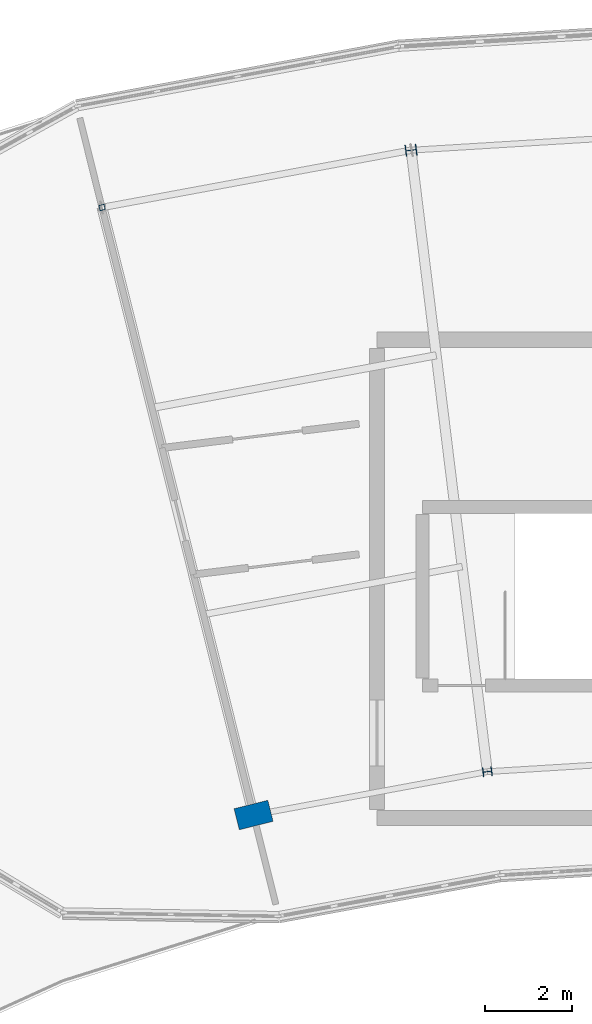
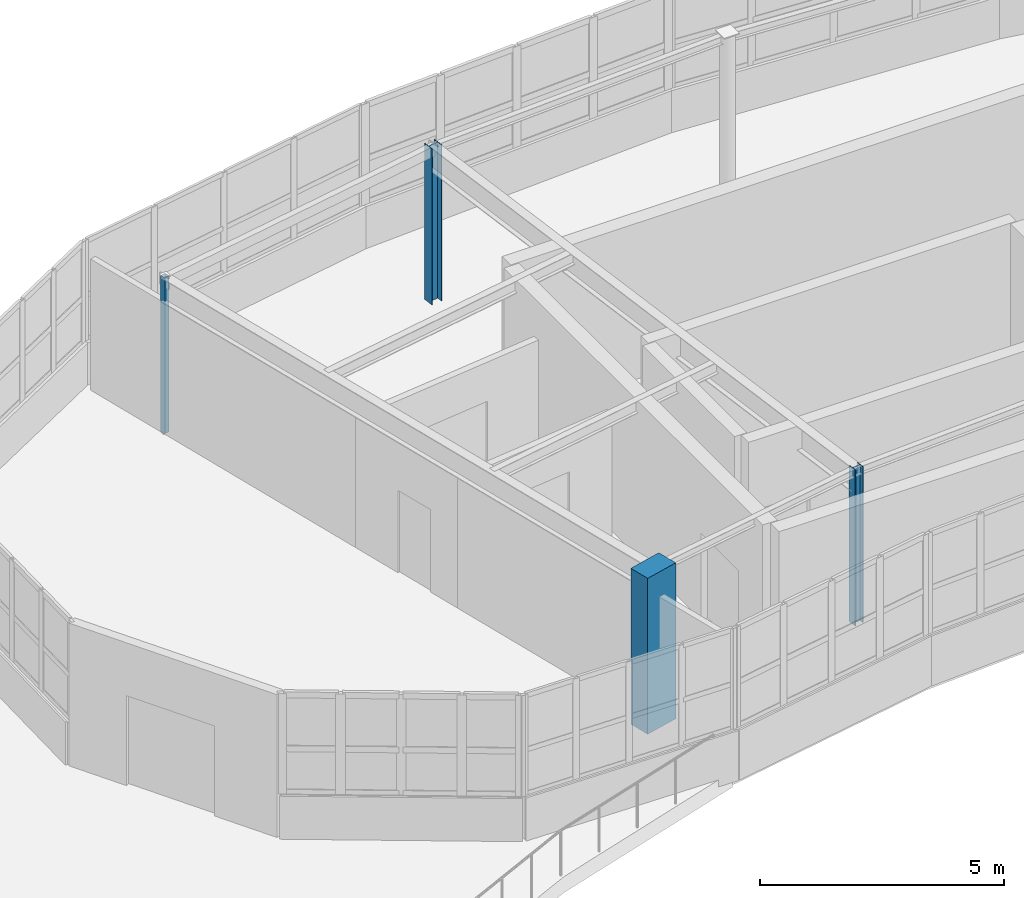
# One storey, part 1 of 26: 4 columns.
"""IFC4 building model written with IfcOpenShell, lengths in metres."""

from ifc_helpers import new_model, si_unit, direction, frame, origin, origin_2d, place, context, subcontext, project, spatial, rectangle, hollow_rectangle, i_section, extrude, material, material_profile, profile_set, type_object, element, save


model = new_model("IFC4")

# Units and contexts
model_context = context("Model", 3, precision=1e-05, world=origin(), true_north=direction((0.0, 1.0)))
body_context = subcontext(model_context, "Body", "Model", "MODEL_VIEW")
ifc_project = project(units=[si_unit("LENGTHUNIT", "METRE"), si_unit("AREAUNIT", "SQUARE_METRE"), si_unit("VOLUMEUNIT", "CUBIC_METRE"), si_unit("PLANEANGLEUNIT", "RADIAN"), si_unit("MASSUNIT", "GRAM", prefix="KILO")], contexts=[model_context])

# Site, building, storey
site_placement = place(None, origin())
site = spatial("IfcSite", under=ifc_project, at=site_placement, CompositionType="ELEMENT")
building_placement = place(site_placement, origin())
building = spatial("IfcBuilding", under=site, at=building_placement, Name="Tarnwether General Hospital", CompositionType="ELEMENT")
storey_placement = place(building_placement, frame((0.0, 0.0, 30.0)))
storey = spatial("IfcBuildingStorey", under=building, at=storey_placement, Name="L07", CompositionType="ELEMENT", Elevation=30.0)

# Columns
ifc_material_1 = material(Name="Concrete 50 MPa", Category="concrete")
ifc_material_profile_1 = material_profile(ifc_material_1, rectangle(XDim=0.5, YDim=0.800048828125, at=origin_2d()), Name="RC-PIL-500x800")
ifc_profile_set_1 = profile_set([ifc_material_profile_1], Name="Concrete 50 MPa")
column_type_1 = type_object("IfcColumnType", Name="COL-23", PredefinedType="PILASTER", material=ifc_profile_set_1)
column_1_placement = place(storey_placement, frame((81.162109375, 106.468994140625, 0.0), z_axis=(0.0, 0.0, 1.0), x_axis=(-0.2419218956, 0.970295726276, 0.0)))
element("IfcColumn", 1, at=column_1_placement, inside=storey, type_object=column_type_1, Name="Column COLG-L07-8116_10647", PredefinedType="PILASTER", context=body_context, shape_type="SweptSolid", body=[
    extrude(rectangle(XDim=0.5, YDim=0.800048828125, at=origin_2d()), origin(), (0.0, 0.0, 1.0), 3.89990234375),
])
ifc_material_2 = material(Name="Steel Grade 350 (350 MPa)", Category="steel")
ifc_material_profile_2 = material_profile(ifc_material_2, i_section(OverallWidth=0.25390625, OverallDepth=0.25390625, WebThickness=0.008544921875, FlangeThickness=0.01416015625, at=origin_2d()), Name="250UC72.9")
ifc_profile_set_2 = profile_set([ifc_material_profile_2], Name="Steel Grade 350 (350 MPa)")
column_type_2 = type_object("IfcColumnType", Name="COL-24", PredefinedType="COLUMN", material=ifc_profile_set_2)
column_2_placement = place(storey_placement, frame((84.784912109375, 121.759033203125, 0.0), z_axis=(0.0, 0.0, 1.0), x_axis=(-0.121869343405, 0.992546151641, 0.0)))
element("IfcColumn", 2, at=column_2_placement, inside=storey, type_object=column_type_2, Name="Column COLG-L07-8478_12176", PredefinedType="COLUMN", context=body_context, shape_type="SweptSolid", body=[
    extrude(i_section(OverallWidth=0.25390625, OverallDepth=0.25390625, WebThickness=0.008544921875, FlangeThickness=0.01416015625, at=origin_2d()), origin(), (0.0, 0.0, 1.0), 3.89990234375),
])
ifc_material_3 = material(Name="Steel Grade 350 (350 MPa)", Category="steel")
ifc_material_profile_3 = material_profile(ifc_material_3, i_section(OverallWidth=0.205078125, OverallDepth=0.2099609375, WebThickness=0.00927734375, FlangeThickness=0.01416015625, at=origin_2d()), Name="200UC59.5")
ifc_profile_set_3 = profile_set([ifc_material_profile_3], Name="Steel Grade 350 (350 MPa)")
column_type_3 = type_object("IfcColumnType", Name="COL-25", PredefinedType="COLUMN", material=ifc_profile_set_3)
column_3_placement = place(storey_placement, frame((86.5400390625, 107.466064453125, 0.0), z_axis=(0.0, 0.0, 1.0), x_axis=(-0.121869343405, 0.992546151641, 0.0)))
element("IfcColumn", 3, at=column_3_placement, inside=storey, type_object=column_type_3, Name="Column COLG-L07-8654_10747", PredefinedType="COLUMN", context=body_context, shape_type="SweptSolid", body=[
    extrude(i_section(OverallWidth=0.205078125, OverallDepth=0.2099609375, WebThickness=0.00927734375, FlangeThickness=0.01416015625, at=origin_2d()), origin(), (0.0, 0.0, 1.0), 3.89990234375),
])
ifc_material_4 = material(Name="Steel Grade C350L0 (350 MPa)", Category="steel")
ifc_material_profile_4 = material_profile(ifc_material_4, hollow_rectangle(XDim=0.125, YDim=0.125, WallThickness=0.006103515625, at=origin_2d()), Name="SHS125x125x6")
ifc_profile_set_4 = profile_set([ifc_material_profile_4], Name="Steel Grade C350L0 (350 MPa)")
column_type_4 = type_object("IfcColumnType", Name="COL-34", PredefinedType="COLUMN", material=ifc_profile_set_4)
column_4_placement = place(storey_placement, frame((77.677978515625, 120.44189453125, 0.0), z_axis=(0.0, 0.0, 1.0), x_axis=(-0.2419218956, 0.970295726276, 0.0)))
element("IfcColumn", 4, at=column_4_placement, inside=storey, type_object=column_type_4, Name="Column COLG-L07-7768_12044", PredefinedType="COLUMN", context=body_context, shape_type="SweptSolid", body=[
    extrude(hollow_rectangle(XDim=0.125, YDim=0.125, WallThickness=0.006103515625, at=origin_2d()), origin(), (0.0, 0.0, 1.0), 3.89990234375),
])

save(model, "model.ifc")
